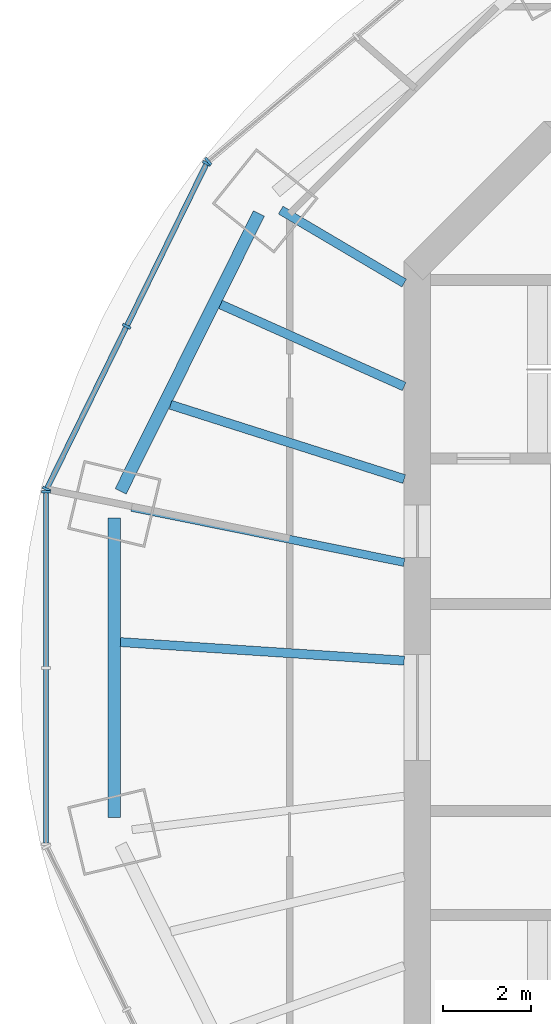
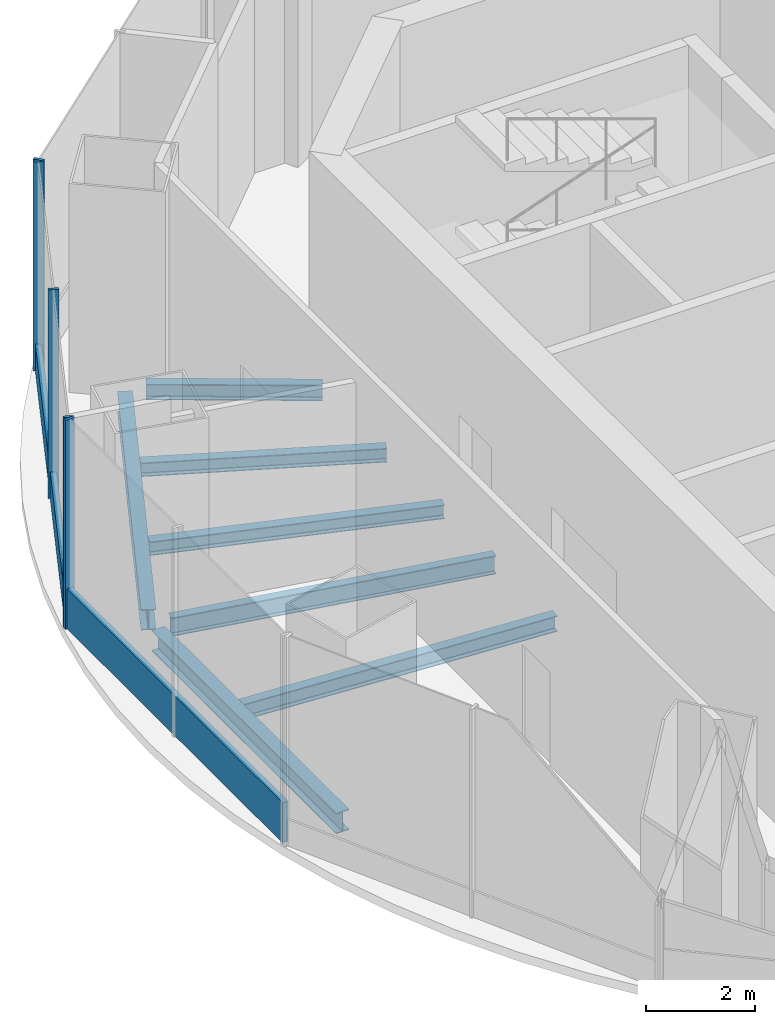
# One storey, part 3 of 11: 7 beams, 7 members, 3 elements without a shape of their own.
"""IFC4 building model written with IfcOpenShell, lengths in metres."""

from ifc_helpers import new_model, si_unit, direction, frame, origin, origin_2d, place, context, subcontext, project, spatial, rectangle, i_section, extrude, material, material_profile, profile_set, type_object, element, aggregate, save


model = new_model("IFC4")

# Units and contexts
model_context = context("Model", 3, precision=1e-05, world=origin(), true_north=direction((0.0, 1.0)))
body_context = subcontext(model_context, "Body", "Model", "MODEL_VIEW")
ifc_project = project(units=[si_unit("LENGTHUNIT", "METRE"), si_unit("AREAUNIT", "SQUARE_METRE"), si_unit("VOLUMEUNIT", "CUBIC_METRE"), si_unit("PLANEANGLEUNIT", "RADIAN"), si_unit("MASSUNIT", "GRAM", prefix="KILO")], contexts=[model_context])

# Site, building, storey
site_placement = place(None, origin())
site = spatial("IfcSite", under=ifc_project, at=site_placement, CompositionType="ELEMENT")
building_placement = place(site_placement, origin())
building = spatial("IfcBuilding", under=site, at=building_placement, Name="Marenthal Gate Tower", CompositionType="ELEMENT")
storey_placement = place(building_placement, frame((0.0, 0.0, 418.550048828125)))
storey = spatial("IfcBuildingStorey", under=building, at=storey_placement, Name="L94", CompositionType="ELEMENT", Elevation=418.550048828125)

# Curtain wall, members
ifc_material_1 = material(Name="Aluminium and glass", Category="aluminium")
curtain_wall_type_1 = type_object("IfcCurtainWallType", Name="Curtain wall crown clad", PredefinedType="NOTDEFINED", material=ifc_material_1)
curtain_wall_1_placement = place(storey_placement, origin())
curtain_wall_1 = element("IfcCurtainWall", 1, at=curtain_wall_1_placement, inside=storey, type_object=curtain_wall_type_1, Name="Curtain wall L94 bay 7", PredefinedType="NOTDEFINED")
ifc_material_2 = material(Name="Aluminium", Category="aluminium")
ifc_material_profile_1 = material_profile(ifc_material_2, rectangle(XDim=0.199951171875, YDim=0.06005859375, at=origin_2d()), Name="60x200 aluminium mullion")
ifc_profile_set_1 = profile_set([ifc_material_profile_1], Name="Aluminium")
member_type_1 = type_object("IfcMemberType", Name="Mullion 60x200 crown clad", PredefinedType="MULLION", material=ifc_profile_set_1)
member_1_placement = place(storey_placement, frame((-20.780029296875, 12.344970703125, 0.0), z_axis=(0.0, 0.0, 1.0), x_axis=(0.897506856877, -0.441000500973, 0.0)))
member_1 = element("IfcMember", 2, at=member_1_placement, type_object=member_type_1, Name="Mullion L94 bay 7.1", PredefinedType="MULLION", context=body_context, shape_type="SweptSolid", body=[
    extrude(rectangle(XDim=0.199951171875, YDim=0.06005859375, at=origin_2d()), origin(), (0.0, 0.0, 1.0), 4.699951171875),
])
member_2_placement = place(storey_placement, frame((-22.595458984375, 8.650146484375, 0.0), z_axis=(0.0, 0.0, 1.0), x_axis=(0.897506856877, -0.441000500973, 0.0)))
member_2 = element("IfcMember", 3, at=member_2_placement, type_object=member_type_1, Name="Mullion L94 bay 7.2", PredefinedType="MULLION", context=body_context, shape_type="SweptSolid", body=[
    extrude(rectangle(XDim=0.199951171875, YDim=0.06005859375, at=origin_2d()), origin(), (0.0, 0.0, 1.0), 4.699951171875),
])
member_3_placement = place(storey_placement, frame((-24.4111328125, 4.955322265625, 0.0), z_axis=(0.0, 0.0, 1.0), x_axis=(0.897506856877, -0.441000500973, 0.0)))
member_3 = element("IfcMember", 4, at=member_3_placement, type_object=member_type_1, Name="Mullion L94 bay 7.3", PredefinedType="MULLION", context=body_context, shape_type="SweptSolid", body=[
    extrude(rectangle(XDim=0.199951171875, YDim=0.06005859375, at=origin_2d()), origin(), (0.0, 0.0, 1.0), 4.699951171875),
])

# Curtain wall, member
ifc_material_3 = material(Name="Aluminium and glass", Category="aluminium")
curtain_wall_type_2 = type_object("IfcCurtainWallType", Name="Curtain wall typical high", PredefinedType="NOTDEFINED", material=ifc_material_3)
curtain_wall_2_placement = place(storey_placement, origin())
curtain_wall_2 = element("IfcCurtainWall", 5, at=curtain_wall_2_placement, inside=storey, type_object=curtain_wall_type_2, Name="Curtain wall L94 bay 6", PredefinedType="NOTDEFINED")
ifc_material_4 = material(Name="Aluminium", Category="aluminium")
ifc_material_profile_2 = material_profile(ifc_material_4, rectangle(XDim=0.199951171875, YDim=0.06005859375, at=origin_2d()), Name="60x200 aluminium mullion")
ifc_profile_set_2 = profile_set([ifc_material_profile_2], Name="Aluminium")
member_type_2 = type_object("IfcMemberType", Name="Mullion 60x200 typical high", PredefinedType="MULLION", material=ifc_profile_set_2)
member_4_placement = place(storey_placement, frame((-20.743896484375, 12.391357421875, 0.0), z_axis=(0.0, 0.0, 1.0), x_axis=(0.644530734274, -0.76457840185, 0.0)))
member_4 = element("IfcMember", 6, at=member_4_placement, type_object=member_type_2, Name="Mullion L94 bay 6.3", PredefinedType="MULLION", context=body_context, shape_type="SweptSolid", body=[
    extrude(rectangle(XDim=0.199951171875, YDim=0.06005859375, at=origin_2d()), origin(), (0.0, 0.0, 1.0), 4.699951171875),
])
aggregate(curtain_wall_2, [member_4])

curtain_wall_3_placement = place(storey_placement, origin())
curtain_wall_3 = element("IfcCurtainWall", 7, at=curtain_wall_3_placement, inside=storey, type_object=curtain_wall_type_2, Name="Curtain wall L94 bay 8", PredefinedType="NOTDEFINED")
member_5_placement = place(storey_placement, frame((-24.42431640625, 4.8984375, 0.0), z_axis=(0.0, 0.0, 1.0), x_axis=(1.0, 0.0, 0.0)))
member_5 = element("IfcMember", 8, at=member_5_placement, type_object=member_type_2, Name="Mullion L94 bay 8.1", PredefinedType="MULLION", context=body_context, shape_type="SweptSolid", body=[
    extrude(rectangle(XDim=0.199951171875, YDim=0.06005859375, at=origin_2d()), origin(), (0.0, 0.0, 1.0), 4.699951171875),
])

# Member
ifc_material_5 = material(Name="Aluminium", Category="aluminium")
ifc_material_profile_3 = material_profile(ifc_material_5, rectangle(XDim=0.1201171875, YDim=0.60009765625, at=origin_2d()), Name="120x600 aluminium transom")
ifc_profile_set_3 = profile_set([ifc_material_profile_3], Name="Aluminium")
member_type_3 = type_object("IfcMemberType", Name="Transom 120x600 crown clad", PredefinedType="USERDEFINED", material=ifc_profile_set_3)
member_6_placement = place(storey_placement, frame((-20.793212890625, 12.318115234375, 0.300048828125), z_axis=(-0.440989997125, -0.89751201799, 0.0), x_axis=(0.89751201799, -0.440989997125, 0.0)))
member_6 = element("IfcMember", 9, at=member_6_placement, type_object=member_type_3, Name="Transom L94 bay 7", ObjectType="TRANSOM", PredefinedType="USERDEFINED", context=body_context, shape_type="SweptSolid", body=[
    extrude(rectangle(XDim=0.1201171875, YDim=0.60009765625, at=origin_2d()), origin(), (0.0, 0.0, 1.0), 8.173583984375),
])

aggregate(curtain_wall_1, [member_1, member_2, member_3, member_6])

ifc_material_6 = material(Name="Aluminium", Category="aluminium")
ifc_material_profile_4 = material_profile(ifc_material_6, rectangle(XDim=0.1201171875, YDim=0.89990234375, at=origin_2d()), Name="120x900 aluminium transom")
ifc_profile_set_4 = profile_set([ifc_material_profile_4], Name="Aluminium")
member_type_4 = type_object("IfcMemberType", Name="Transom 120x900 typical high", PredefinedType="USERDEFINED", material=ifc_profile_set_4)
member_7_placement = place(storey_placement, frame((-24.42431640625, 4.868408203125, 0.449951171875), z_axis=(0.0, -1.0, 0.0), x_axis=(1.0, 0.0, 0.0)))
member_7 = element("IfcMember", 10, at=member_7_placement, type_object=member_type_4, Name="Transom L94 bay 8", ObjectType="TRANSOM", PredefinedType="USERDEFINED", context=body_context, shape_type="SweptSolid", body=[
    extrude(rectangle(XDim=0.1201171875, YDim=0.89990234375, at=origin_2d()), origin(), (0.0, 0.0, 1.0), 7.936767578125),
])

aggregate(curtain_wall_3, [member_5, member_7])

# Beams
ifc_material_7 = material(Name="Steel S355", Category="steel")
ifc_material_profile_5 = material_profile(ifc_material_7, i_section(OverallWidth=0.205078125, OverallDepth=0.31005859375, WebThickness=0.009521484375, FlangeThickness=0.016357421875, FilletRadius=0.0126953125, at=origin_2d()), Name="W310X74")
ifc_profile_set_5 = profile_set([ifc_material_profile_5], Name="Steel S355")
beam_type_1 = type_object("IfcBeamType", Name="W310X74 beam", PredefinedType="BEAM", material=ifc_profile_set_5)
beam_1_placement = place(storey_placement, frame((-20.46630859375, 9.14599609375, -0.35498046875), z_axis=(0.912984542978, -0.407994147363, 0.0), x_axis=(0.407994147363, 0.912984542978, 0.0)))
element("IfcBeam", 11, at=beam_1_placement, inside=storey, type_object=beam_type_1, Name="BM-L94-24", PredefinedType="BEAM", context=body_context, shape_type="SweptSolid", body=[
    extrude(i_section(OverallWidth=0.205078125, OverallDepth=0.31005859375, WebThickness=0.009521484375, FlangeThickness=0.016357421875, FilletRadius=0.0126953125, at=origin_2d()), origin(), (0.0, 0.0, 1.0), 4.563232421875),
])
beam_2_placement = place(storey_placement, frame((-21.599609375, 6.868896484375, -0.35498046875), z_axis=(0.952973623439, -0.303053251145, 0.0), x_axis=(0.303053251145, 0.952973623439, 0.0)))
element("IfcBeam", 12, at=beam_2_placement, inside=storey, type_object=beam_type_1, Name="BM-L94-25", PredefinedType="BEAM", context=body_context, shape_type="SweptSolid", body=[
    extrude(i_section(OverallWidth=0.205078125, OverallDepth=0.31005859375, WebThickness=0.009521484375, FlangeThickness=0.016357421875, FilletRadius=0.0126953125, at=origin_2d()), origin(), (0.0, 0.0, 1.0), 5.56103515625),
])
ifc_material_8 = material(Name="Steel S355", Category="steel")
ifc_material_profile_6 = material_profile(ifc_material_8, i_section(OverallWidth=0.205078125, OverallDepth=0.35302734375, WebThickness=0.009521484375, FlangeThickness=0.016845703125, FilletRadius=0.014892578125, at=origin_2d()), Name="W360X79")
ifc_profile_set_6 = profile_set([ifc_material_profile_6], Name="Steel S355")
beam_type_2 = type_object("IfcBeamType", Name="W360X79 beam", PredefinedType="BEAM", material=ifc_profile_set_6)
beam_3_placement = place(storey_placement, frame((-19.100830078125, 11.285888671875, -0.37646484375), z_axis=(0.860956408215, -0.50867874258, 0.0), x_axis=(0.50867874258, 0.860956408215, 0.0)))
element("IfcBeam", 13, at=beam_3_placement, inside=storey, type_object=beam_type_2, Name="BM-L94-07", PredefinedType="BEAM", context=body_context, shape_type="SweptSolid", body=[
    extrude(i_section(OverallWidth=0.205078125, OverallDepth=0.35302734375, WebThickness=0.009521484375, FlangeThickness=0.016845703125, FilletRadius=0.014892578125, at=origin_2d()), origin(), (0.0, 0.0, 1.0), 3.253173828125),
])
beam_4_placement = place(storey_placement, frame((-22.735107421875, 1.486083984375, -0.37646484375), z_axis=(0.997870260311, -0.065229928618, 0.0), x_axis=(0.065229928618, 0.997870260311, 0.0)))
element("IfcBeam", 14, at=beam_4_placement, inside=storey, type_object=beam_type_2, Name="BM-L94-26", PredefinedType="BEAM", context=body_context, shape_type="SweptSolid", body=[
    extrude(i_section(OverallWidth=0.205078125, OverallDepth=0.35302734375, WebThickness=0.009521484375, FlangeThickness=0.016845703125, FilletRadius=0.014892578125, at=origin_2d()), origin(), (0.0, 0.0, 1.0), 6.44873046875),
])
ifc_material_9 = material(Name="Steel S355", Category="steel")
ifc_material_profile_7 = material_profile(ifc_material_9, i_section(OverallWidth=0.180908203125, OverallDepth=0.4169921875, WebThickness=0.010986328125, FlangeThickness=0.018310546875, FilletRadius=0.01025390625, at=origin_2d()), Name="W410X85")
ifc_profile_set_7 = profile_set([ifc_material_profile_7], Name="Steel S355")
beam_type_3 = type_object("IfcBeamType", Name="W410X85 beam", PredefinedType="BEAM", material=ifc_profile_set_7)
beam_5_placement = place(storey_placement, frame((-22.482177734375, 4.541015625, -0.408447265625), z_axis=(0.98020219373, -0.197999139915, 0.0), x_axis=(0.197999139915, 0.98020219373, 0.0)))
element("IfcBeam", 15, at=beam_5_placement, inside=storey, type_object=beam_type_3, Name="BM-L94-08", PredefinedType="BEAM", context=body_context, shape_type="SweptSolid", body=[
    extrude(i_section(OverallWidth=0.180908203125, OverallDepth=0.4169921875, WebThickness=0.010986328125, FlangeThickness=0.018310546875, FilletRadius=0.01025390625, at=origin_2d()), origin(), (0.0, 0.0, 1.0), 6.306884765625),
])
ifc_material_10 = material(Name="Steel S355", Category="steel")
ifc_material_profile_8 = material_profile(ifc_material_10, i_section(OverallWidth=0.279052734375, OverallDepth=0.4619140625, WebThickness=0.0107421875, FlangeThickness=0.017333984375, FilletRadius=0.010009765625, at=origin_2d()), Name="W460X113")
ifc_profile_set_8 = profile_set([ifc_material_profile_8], Name="Steel S355")
beam_type_4 = type_object("IfcBeamType", Name="W460X113 beam", PredefinedType="BEAM", material=ifc_profile_set_8)
beam_6_placement = place(storey_placement, frame((-19.59521484375, 11.208740234375, -0.43115234375), z_axis=(-0.44561730548, -0.895223557027, 0.0), x_axis=(0.895223557027, -0.44561730548, 0.0)))
element("IfcBeam", 16, at=beam_6_placement, inside=storey, type_object=beam_type_4, Name="BM-L94-42", PredefinedType="BEAM", context=body_context, shape_type="SweptSolid", body=[
    extrude(i_section(OverallWidth=0.279052734375, OverallDepth=0.4619140625, WebThickness=0.0107421875, FlangeThickness=0.017333984375, FilletRadius=0.010009765625, at=origin_2d()), origin(), (0.0, 0.0, 1.0), 7.03857421875),
])
beam_7_placement = place(storey_placement, frame((-22.874755859375, 4.297607421875, -0.43115234375), z_axis=(0.0, -1.0, 0.0), x_axis=(1.0, 0.0, 0.0)))
element("IfcBeam", 17, at=beam_7_placement, inside=storey, type_object=beam_type_4, Name="BM-L94-43", PredefinedType="BEAM", context=body_context, shape_type="SweptSolid", body=[
    extrude(i_section(OverallWidth=0.279052734375, OverallDepth=0.4619140625, WebThickness=0.0107421875, FlangeThickness=0.017333984375, FilletRadius=0.010009765625, at=origin_2d()), origin(), (0.0, 0.0, 1.0), 6.79541015625),
])

save(model, "model.ifc")
